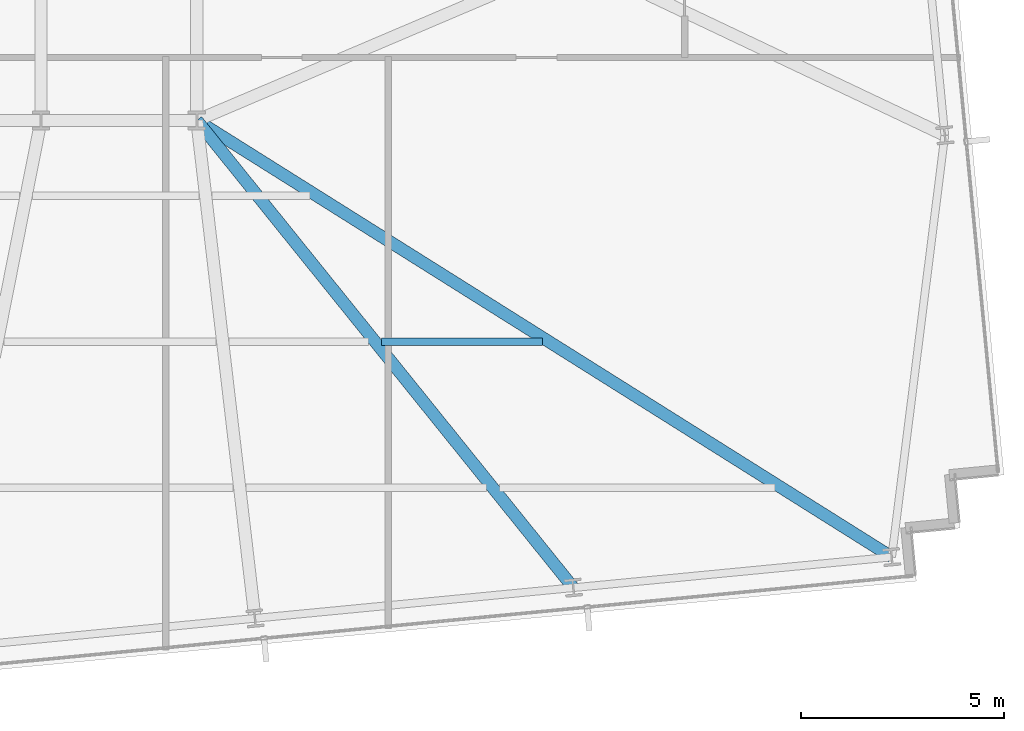
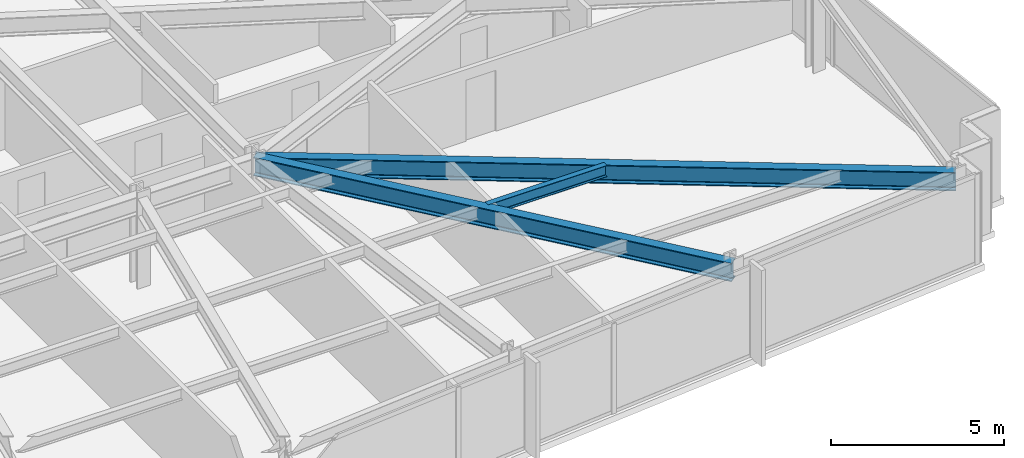
# One storey, part 13 of 33: 3 beams.
"""IFC4 building model written with IfcOpenShell, lengths in metres."""

from ifc_helpers import new_model, si_unit, direction, frame, origin, origin_2d, place, context, subcontext, project, spatial, i_section, extrude, material, material_profile, profile_set, type_object, element, save


model = new_model("IFC4")

# Units and contexts
model_context = context("Model", 3, precision=1e-05, world=origin(), true_north=direction((0.0, 1.0)))
body_context = subcontext(model_context, "Body", "Model", "MODEL_VIEW")
ifc_project = project(units=[si_unit("LENGTHUNIT", "METRE"), si_unit("AREAUNIT", "SQUARE_METRE"), si_unit("VOLUMEUNIT", "CUBIC_METRE"), si_unit("PLANEANGLEUNIT", "RADIAN"), si_unit("MASSUNIT", "GRAM", prefix="KILO")], contexts=[model_context])

# Site, building, storey
site_placement = place(None, origin())
site = spatial("IfcSite", under=ifc_project, at=site_placement, CompositionType="ELEMENT")
building_placement = place(site_placement, origin())
building = spatial("IfcBuilding", under=site, at=building_placement, Name="Yelkora Congress Tower", CompositionType="ELEMENT")
storey_placement = place(building_placement, frame((0.0, 0.0, 106.699951171875)))
storey = spatial("IfcBuildingStorey", under=building, at=storey_placement, Name="L28", CompositionType="ELEMENT", Elevation=106.699951171875)

# Beams
ifc_material = material(Name="Steel S355J2", Category="steel")
ifc_material_profile_1 = material_profile(ifc_material, i_section(OverallWidth=0.300048828125, OverallDepth=0.64990234375, WebThickness=0.01611328125, FlangeThickness=0.031005859375, FilletRadius=0.027099609375, at=origin_2d()), Name="HEB 650")
ifc_profile_set_1 = profile_set([ifc_material_profile_1], Name="Steel S355J2")
beam_type_1 = type_object("IfcBeamType", Name="BM-GIRD-HEB650", PredefinedType="BEAM", material=ifc_profile_set_1)
beam_1_placement = place(storey_placement, frame((66.882568359375, 13.67919921875, 2.85498046875), z_axis=(-0.627405981031, 0.778692323686, 0.0), x_axis=(-0.778692323686, -0.627405981031, 0.0)))
element("IfcBeam", 1, at=beam_1_placement, inside=storey, type_object=beam_type_1, Name="L28 Primary Frame Girder S07", PredefinedType="BEAM", context=body_context, shape_type="SweptSolid", body=[
    extrude(i_section(OverallWidth=0.300048828125, OverallDepth=0.64990234375, WebThickness=0.01611328125, FlangeThickness=0.031005859375, FilletRadius=0.027099609375, at=origin_2d()), origin(), (0.0, 0.0, 1.0), 14.794921875),
])
beam_2_placement = place(storey_placement, frame((74.73193359375, 14.43505859375, 2.85498046875), z_axis=(-0.846718708798, 0.532040814385, 0.0), x_axis=(-0.532040814385, -0.846718708798, 0.0)))
element("IfcBeam", 2, at=beam_2_placement, inside=storey, type_object=beam_type_1, Name="L28 Primary Frame Girder S08", PredefinedType="BEAM", context=body_context, shape_type="SweptSolid", body=[
    extrude(i_section(OverallWidth=0.300048828125, OverallDepth=0.64990234375, WebThickness=0.01611328125, FlangeThickness=0.031005859375, FilletRadius=0.027099609375, at=origin_2d()), origin(), (0.0, 0.0, 1.0), 20.233154296875),
])
ifc_material_profile_2 = material_profile(ifc_material, i_section(OverallWidth=0.179931640625, OverallDepth=0.39990234375, WebThickness=0.008544921875, FlangeThickness=0.013427734375, FilletRadius=0.02099609375, at=origin_2d()), Name="IPE 400")
ifc_profile_set_2 = profile_set([ifc_material_profile_2], Name="Steel S355J2")
beam_type_2 = type_object("IfcBeamType", Name="BM-JOIST-IPE400", PredefinedType="JOIST", material=ifc_profile_set_2)
beam_3_placement = place(storey_placement, frame((62.15576171875, 19.744384765625, 2.97998046875), z_axis=(1.0, 0.0, 0.0), x_axis=(0.0, 1.0, 0.0)))
element("IfcBeam", 3, at=beam_3_placement, inside=storey, type_object=beam_type_2, Name="L28 Composite Floor Joist 17", PredefinedType="JOIST", context=body_context, shape_type="SweptSolid", body=[
    extrude(i_section(OverallWidth=0.179931640625, OverallDepth=0.39990234375, WebThickness=0.008544921875, FlangeThickness=0.013427734375, FilletRadius=0.02099609375, at=origin_2d()), origin(), (0.0, 0.0, 1.0), 3.966552734375),
])

save(model, "model.ifc")
